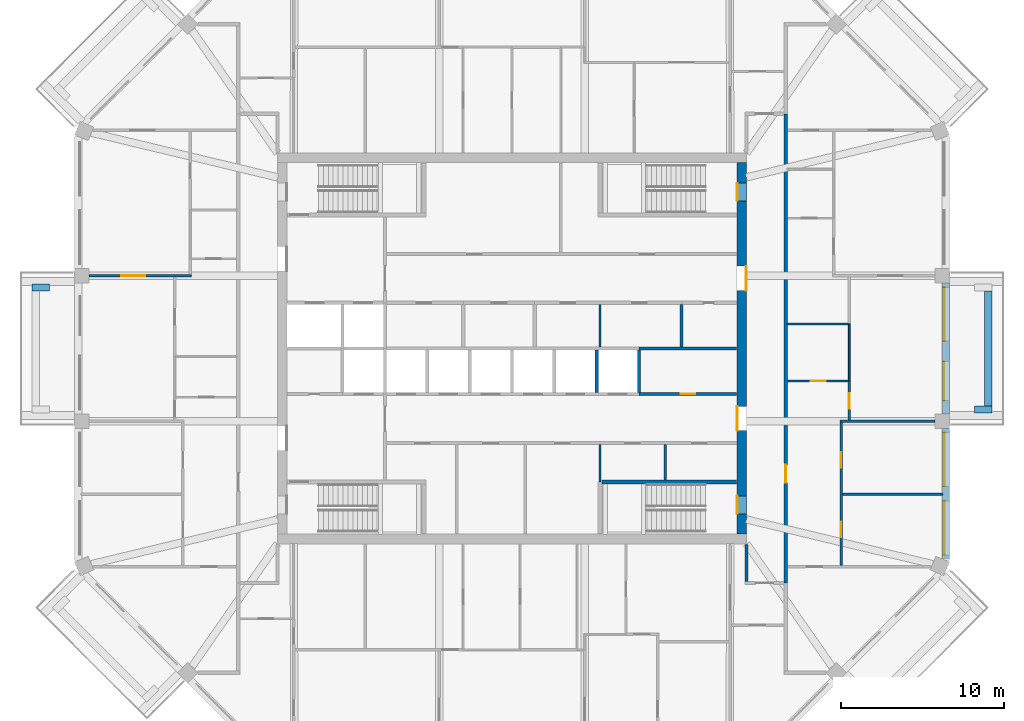
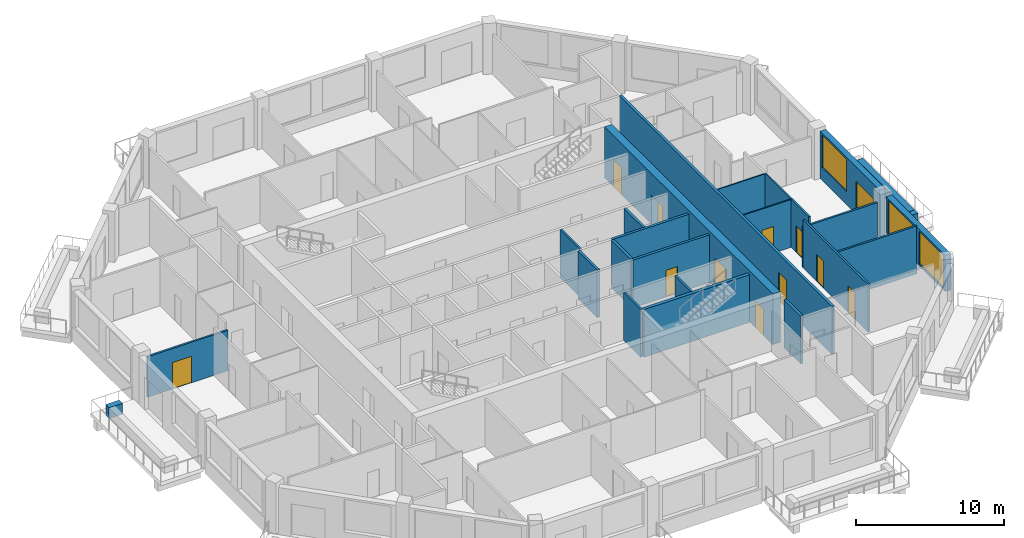
# One storey, part 6 of 12: 25 walls, 12 doors, 3 windows, 15 openings.
"""IFC4 building model written with IfcOpenShell, lengths in metres."""

import ifcopenshell
import ifcopenshell.guid

model = None  # the IFC model being written
_history = None  # IfcOwnerHistory: only IFC2X3 demands one
_inside = {}  # id of a spatial element -> (the spatial element, [elements in it])
_under = {}  # id of a project, library or spatial element -> (it, [spatial elements below it])
_declared = {}  # id of a project -> (the project, [libraries it declares])
_typed = {}  # id of a type object -> (the type object, [elements of that type])
_made_of = {}  # id of a material, layer set ... -> (it, [elements and type objects made of it])


def new_model(schema):
    """Start an empty IFC model of exactly this schema.

    Asked for "IFC4X3", IfcOpenShell would pick the latest addendum, in which some entities
    have other attributes; the version numbers below select the first issue.
    IFC2X3 requires an IfcOwnerHistory on every rooted entity: one is made here for all.
    """
    global model, _history
    if schema == "IFC4X3":
        model = ifcopenshell.file(schema_version=(4, 3, 0, 0))
    else:
        model = ifcopenshell.file(schema=schema)
    _inside.clear()
    _under.clear()
    _declared.clear()
    _typed.clear()
    _made_of.clear()
    _history = None
    if model.schema == "IFC2X3":
        org = make("IfcOrganization", Name="unknown")
        user = make(
            "IfcPersonAndOrganization",
            ThePerson=make("IfcPerson", FamilyName="unknown"),
            TheOrganization=org,
        )
        app = make(
            "IfcApplication",
            ApplicationDeveloper=org,
            Version="unknown",
            ApplicationFullName="unknown",
            ApplicationIdentifier="unknown",
        )
        _history = make(
            "IfcOwnerHistory",
            OwningUser=user,
            OwningApplication=app,
            ChangeAction="ADDED",
            CreationDate=0,
        )
    return model


def make(cls, **values):
    """One entity of the class cls with the attributes given. An attribute that is None is left unset."""
    return model.create_entity(
        cls, **{name: value for name, value in values.items() if value is not None}
    )


def rooted(cls, **values):
    """An entity with a GlobalId (a new one), such as an element, a storey or a relation."""
    return make(cls, GlobalId=ifcopenshell.guid.new(), OwnerHistory=_history, **values)


def si_unit(unit_type, name, prefix=None):
    """IfcSIUnit, for example si_unit("LENGTHUNIT", "METRE", prefix="MILLI")."""
    return make("IfcSIUnit", UnitType=unit_type, Prefix=prefix, Name=name)


def assignment(units):
    """IfcUnitAssignment: the units of a project."""
    return None if units is None else make("IfcUnitAssignment", Units=units)


def point(xyz):
    """IfcCartesianPoint."""
    return None if xyz is None else make("IfcCartesianPoint", Coordinates=xyz)


def direction(xyz):
    """IfcDirection."""
    return None if xyz is None else make("IfcDirection", DirectionRatios=xyz)


def frame(location, z_axis=None, x_axis=None):
    """IfcAxis2Placement3D, a coordinate frame: its origin and axes. An axis left out is left unset."""
    return make(
        "IfcAxis2Placement3D",
        Location=point(location),
        Axis=direction(z_axis),
        RefDirection=direction(x_axis),
    )


def frame_2d(location, x_axis=None):
    """IfcAxis2Placement2D, a coordinate frame in the plane: its origin and x axis."""
    return make(
        "IfcAxis2Placement2D", Location=point(location), RefDirection=direction(x_axis)
    )


def origin():
    """The frame at (0, 0, 0) with its axes left unset."""
    return frame((0.0, 0.0, 0.0))


def place(relative_to, where):
    """IfcLocalPlacement: puts the frame where relative to a parent placement (None: the world)."""
    return make(
        "IfcLocalPlacement", PlacementRelTo=relative_to, RelativePlacement=where
    )


def context(
    kind, dimensions, precision=None, world=None, true_north=None, identifier=None
):
    """IfcGeometricRepresentationContext, for example the 3D "Model" context."""
    return make(
        "IfcGeometricRepresentationContext",
        ContextIdentifier=identifier,
        ContextType=kind,
        CoordinateSpaceDimension=dimensions,
        Precision=precision,
        WorldCoordinateSystem=world,
        TrueNorth=true_north,
    )


def subcontext(parent, identifier, kind, view, scale=None):
    """IfcGeometricRepresentationSubContext, for example "Body" below "Model"."""
    return make(
        "IfcGeometricRepresentationSubContext",
        ContextIdentifier=identifier,
        ContextType=kind,
        ParentContext=parent,
        TargetScale=scale,
        TargetView=view,
    )


def project(units=None, contexts=None):
    """IfcProject with its units and contexts."""
    return rooted(
        "IfcProject",
        Name="project",
        RepresentationContexts=contexts,
        UnitsInContext=assignment(units),
    )


def spatial(cls, under=None, at=None, **own):
    """A site, building, storey or space (cls), placed at a placement, below another one or the project."""
    s = rooted(cls, ObjectPlacement=at, **own)
    if under is not None:
        _under.setdefault(under.id(), (under, []))[1].append(s)
    return s


def profile(cls, at=None, kind="AREA", **sizes):
    """A parametric profile (cls). Its sizes go by their IFC names, for example OverallWidth=200.0."""
    return make(cls, ProfileType=kind, Position=at, **sizes)


def rectangle(**sizes):
    """IfcRectangleProfileDef."""
    return profile("IfcRectangleProfileDef", **sizes)


def extrude(swept, where, along, depth):
    """IfcExtrudedAreaSolid: the profile swept, set in the frame where, extruded along a direction by depth."""
    return make(
        "IfcExtrudedAreaSolid",
        SweptArea=swept,
        Position=where,
        ExtrudedDirection=direction(along),
        Depth=depth,
    )


def shape(context_of_items, identifier, shape_type, items):
    """IfcShapeRepresentation: the items that make up one representation, for example the "Body"."""
    return make(
        "IfcShapeRepresentation",
        ContextOfItems=context_of_items,
        RepresentationIdentifier=identifier,
        RepresentationType=shape_type,
        Items=items,
    )


def material(Name=None, Category=None):
    """IfcMaterial."""
    return make("IfcMaterial", Name=Name, Category=Category)


def layer(
    of_material, thickness, ventilated=None, Name=None, Category=None, Priority=None
):
    """IfcMaterialLayer: one layer of a wall or slab, of a material (None: an air gap)."""
    return make(
        "IfcMaterialLayer",
        Material=of_material,
        LayerThickness=thickness,
        IsVentilated=ventilated,
        Name=Name,
        Category=Category,
        Priority=Priority,
    )


def layer_set(layers, Name=None):
    """IfcMaterialLayerSet."""
    return make("IfcMaterialLayerSet", MaterialLayers=layers, LayerSetName=Name)


def made_of(thing, what):
    """Note that an element or type object is made of a material, layer set ...; save() writes the relation."""
    if what is not None:
        _made_of.setdefault(what.id(), (what, []))[1].append(thing)
    return thing


def type_object(cls, material=None, **own):
    """A type object (cls), such as IfcWallType, which elements share."""
    return made_of(rooted(cls, **own), material)


def element(
    cls,
    number,
    at=None,
    inside=None,
    cuts=None,
    type_object=None,
    material=None,
    context=None,
    identifier="Body",
    shape_type=None,
    held_by="IfcProductDefinitionShape",
    body=None,
    shapes=None,
    **own,
):
    """One element of the class cls, such as IfcWall. Its Tag is "e" and its number.

    at: its placement. inside: the storey or other place that contains it. cuts: it is an
    opening in that element (IfcRelVoidsElement). A single representation is given by context,
    identifier, shape_type and body (its items); several are given by shapes. held_by: the class
    of the entity that holds the representations. save() writes the other relations.
    """
    e = rooted(cls, Tag="e%d" % number, ObjectPlacement=at, **own)
    if body is not None:
        shapes = [shape(context, identifier, shape_type, body)]
    if shapes is not None:
        e.Representation = make(held_by, Representations=shapes)
    if inside is not None:
        _inside.setdefault(inside.id(), (inside, []))[1].append(e)
    if cuts is not None:
        rooted(
            "IfcRelVoidsElement", RelatingBuildingElement=cuts, RelatedOpeningElement=e
        )
    if type_object is not None:
        _typed.setdefault(type_object.id(), (type_object, []))[1].append(e)
    return made_of(e, material)


def fill(opening, filler):
    """IfcRelFillsElement: the door or window that sits in an opening."""
    return rooted(
        "IfcRelFillsElement",
        RelatingOpeningElement=opening,
        RelatedBuildingElement=filler,
    )


def aggregate(whole, parts):
    """IfcRelAggregates: a whole, such as a stair, and the parts it consists of."""
    return rooted("IfcRelAggregates", RelatingObject=whole, RelatedObjects=parts)


def save(model, path):
    """Write the relations noted so far, then the file.

    IfcRelAggregates (storeys below a building ...), IfcRelContainedInSpatialStructure (elements
    in a storey), IfcRelDefinesByType, IfcRelAssociatesMaterial and IfcRelDeclares: one each for
    every whole, place, type object, material and project.
    """
    for whole, parts in _under.values():
        aggregate(whole, parts)
    for where, things in _inside.values():
        rooted(
            "IfcRelContainedInSpatialStructure",
            RelatedElements=things,
            RelatingStructure=where,
        )
    for kind, things in _typed.values():
        rooted("IfcRelDefinesByType", RelatedObjects=things, RelatingType=kind)
    for what, things in _made_of.values():
        rooted("IfcRelAssociatesMaterial", RelatedObjects=things, RelatingMaterial=what)
    for by, libraries in _declared.values():
        rooted("IfcRelDeclares", RelatingContext=by, RelatedDefinitions=libraries)
    model.write(path)


model = new_model("IFC4")

# Units and contexts
model_context = context("Model", 3, precision=1e-05, world=origin(), true_north=direction((0.0, 1.0)))
body_context = subcontext(model_context, "Body", "Model", "MODEL_VIEW")
ifc_project = project(units=[si_unit("LENGTHUNIT", "METRE"), si_unit("AREAUNIT", "SQUARE_METRE"), si_unit("VOLUMEUNIT", "CUBIC_METRE"), si_unit("PLANEANGLEUNIT", "RADIAN"), si_unit("MASSUNIT", "GRAM", prefix="KILO")], contexts=[model_context])

# Site, building, storey
site_placement = place(None, origin())
site = spatial("IfcSite", under=ifc_project, at=site_placement, CompositionType="ELEMENT")
building_placement = place(site_placement, origin())
building = spatial("IfcBuilding", under=site, at=building_placement, Name="Msitu Wima Residences", CompositionType="ELEMENT")
storey_placement = place(building_placement, frame((0.0, 0.0, 222.300048828125)))
storey = spatial("IfcBuildingStorey", under=building, at=storey_placement, Name="L51", CompositionType="ELEMENT", Elevation=222.300048828125)

# Walls
ifc_material_1 = material(Name="Facing brick")
ifc_layer_1 = layer(ifc_material_1, 0.06494140625, Name="Facing brick")
ifc_material_2 = material(Name="Concrete C40/50", Category="concrete")
ifc_layer_2 = layer(ifc_material_2, 0.156005859375, Name="Concrete C40/50")
ifc_material_3 = material(Name="Waterproofing membrane")
ifc_layer_3 = layer(ifc_material_3, 0.00390625, Name="Waterproofing membrane")
ifc_material_4 = material(Name="Planting soil and planting")
ifc_layer_4 = layer(ifc_material_4, 0.22509765625, Name="Planting soil and planting")
ifc_layer_set_1 = layer_set([ifc_layer_1, ifc_layer_2, ifc_layer_3, ifc_layer_4], Name="Concrete C40/50")
wall_type_1 = type_object("IfcWallType", Name="Balcony planter PLANTER PL450", PredefinedType="USERDEFINED", material=ifc_layer_set_1)
wall_1_placement = place(storey_placement, frame((29.22509765625, -3.5185546875, 0.0), z_axis=(0.0, 0.0, 1.0), x_axis=(0.0, 1.0, 0.0)))
element("IfcWall", 1, at=wall_1_placement, inside=storey, type_object=wall_type_1, Name="Balcony planter E1 L51", ObjectType="PLANTER", PredefinedType="USERDEFINED", context=body_context, shape_type="SweptSolid", body=[
    extrude(rectangle(XDim=7.037109375, YDim=0.449951171875, at=frame_2d((3.5185546875, 0.0))), origin(), (0.0, 0.0, 1.0), 0.89990234375),
])
for number, where, z_axis, x_axis, name in (
    (2, (28.39990234375, -3.74365234375, 0.0), (0.0, 0.0, 1.0), (1.0, 0.0, 0.0), "Balcony planter E1 L51"),
    (3, (-28.39990234375, 3.74365234375, 0.0), (0.0, 0.0, 1.0), (-1.0, 0.0, 0.0), "Balcony planter W1 L51"),
):
    element("IfcWall", number, at=place(storey_placement, frame(where, z_axis=z_axis, x_axis=x_axis)), inside=storey, type_object=wall_type_1, Name=name, ObjectType="PLANTER", PredefinedType="USERDEFINED", context=body_context, shape_type="SweptSolid", body=[
        extrude(rectangle(XDim=1.050048828125, YDim=0.449951171875, at=frame_2d((0.52490234375, 0.0))), origin(), (0.0, 0.0, 1.0), 0.89990234375),
    ])

# Wall, openings, windows
ifc_material_5 = material(Name="Brick (red buff mix)", Category="masonry")
ifc_layer_5 = layer(ifc_material_5, 0.449951171875)
ifc_layer_set_2 = layer_set([ifc_layer_5], Name="Brick (red buff mix)")
wall_type_2 = type_object("IfcWallType", Name="Brick infill wall BW450", PredefinedType="SOLIDWALL", material=ifc_layer_set_2)
wall_2_placement = place(storey_placement, frame((26.625, -12.918701171875, 0.89990234375), z_axis=(0.0, 0.0, 1.0), x_axis=(0.0, 1.0, 0.0)))
wall_2 = element("IfcWall", 4, at=wall_2_placement, inside=storey, type_object=wall_type_2, Name="Brick infill wall L51 E0", PredefinedType="SOLIDWALL", context=body_context, shape_type="SweptSolid", body=[
    extrude(rectangle(XDim=8.0, YDim=0.449951171875, at=frame_2d((4.0, 0.0))), origin(), (0.0, 0.0, 1.0), 3.0),
])
opening_1_placement = place(wall_2_placement, frame((0.25, 0.0, 0.14990234375)))
opening_1 = element("IfcOpeningElement", 5, at=opening_1_placement, cuts=wall_2, Name="Opening W50-51.001", PredefinedType="OPENING", context=body_context, shape_type="SweptSolid", body=[
    extrude(rectangle(XDim=3.300048828125, YDim=2.699951171875, at=frame_2d((1.64990234375, 1.35009765625))), frame((0.0, 0.23486328125, 0.0), z_axis=(0.0, -1.0, 0.0), x_axis=(1.0, 0.0, 0.0)), (0.0, 0.0, 1.0), 0.469970703125),
])
opening_2_placement = place(wall_2_placement, frame((4.4501953125, 0.0, 0.14990234375)))
opening_2 = element("IfcOpeningElement", 6, at=opening_2_placement, cuts=wall_2, Name="Opening W50-51.002", PredefinedType="OPENING", context=body_context, shape_type="SweptSolid", body=[
    extrude(rectangle(XDim=3.300048828125, YDim=2.699951171875, at=frame_2d((1.64990234375, 1.35009765625))), frame((0.0, 0.23486328125, 0.0), z_axis=(0.0, -1.0, 0.0), x_axis=(1.0, 0.0, 0.0)), (0.0, 0.0, 1.0), 0.469970703125),
])
ifc_material_6 = material(Name="Anodised aluminium, bronze finish, clear low-emissivity double glazing", Category="aluminium")
window_type = type_object("IfcWindowType", Name="Window W3300x2700", PartitioningType="DOUBLE_PANEL_VERTICAL", PredefinedType="WINDOW", material=ifc_material_6)
window_1_placement = place(opening_1_placement, origin())
window_1 = element("IfcWindow", 7, at=window_1_placement, inside=storey, type_object=window_type, Name="Window L51 E0.1", OverallHeight=2.699951171875, OverallWidth=3.300048828125, PartitioningType="SINGLE_PANEL", PredefinedType="WINDOW", context=body_context, shape_type="SweptSolid", body=[
    extrude(rectangle(XDim=3.300048828125, YDim=2.699951171875, at=frame_2d((1.64990234375, 1.35009765625))), frame((0.0, 0.135009765625, 0.0), z_axis=(0.0, -1.0, 0.0), x_axis=(1.0, 0.0, 0.0)), (0.0, 0.0, 1.0), 0.06005859375),
])
fill(opening_1, window_1)
window_2_placement = place(opening_2_placement, origin())
window_2 = element("IfcWindow", 8, at=window_2_placement, inside=storey, type_object=window_type, Name="Window L51 E0.2", OverallHeight=2.699951171875, OverallWidth=3.300048828125, PartitioningType="SINGLE_PANEL", PredefinedType="WINDOW", context=body_context, shape_type="SweptSolid", body=[
    extrude(rectangle(XDim=3.300048828125, YDim=2.699951171875, at=frame_2d((1.64990234375, 1.35009765625))), frame((0.0, 0.135009765625, 0.0), z_axis=(0.0, -1.0, 0.0), x_axis=(1.0, 0.0, 0.0)), (0.0, 0.0, 1.0), 0.06005859375),
])
fill(opening_2, window_2)

# Wall, openings, door, window
wall_3_placement = place(storey_placement, frame((26.625, -4.0185546875, 0.0), z_axis=(0.0, 0.0, 1.0), x_axis=(0.0, 1.0, 0.0)))
wall_3 = element("IfcWall", 9, at=wall_3_placement, inside=storey, type_object=wall_type_2, Name="Brick infill wall L51 E1", PredefinedType="SOLIDWALL", context=body_context, shape_type="SweptSolid", body=[
    extrude(rectangle(XDim=8.037109375, YDim=0.449951171875, at=frame_2d((4.0185546875, 0.0))), origin(), (0.0, 0.0, 1.0), 3.89990234375),
])
opening_3_placement = place(wall_3_placement, frame((0.809326171875, 0.0, 0.0)))
opening_3 = element("IfcOpeningElement", 10, at=opening_3_placement, cuts=wall_3, Name="Opening D50-51.001", PredefinedType="OPENING", context=body_context, shape_type="SweptSolid", body=[
    extrude(rectangle(XDim=2.39990234375, YDim=2.699951171875, at=frame_2d((1.199951171875, 1.35009765625))), frame((0.0, 0.23486328125, 0.0), z_axis=(0.0, -1.0, 0.0), x_axis=(1.0, 0.0, 0.0)), (0.0, 0.0, 1.0), 0.469970703125),
])
opening_4_placement = place(wall_3_placement, frame((4.46875, 0.0, 1.050048828125)))
opening_4 = element("IfcOpeningElement", 11, at=opening_4_placement, cuts=wall_3, Name="Opening W50-51.003", PredefinedType="OPENING", context=body_context, shape_type="SweptSolid", body=[
    extrude(rectangle(XDim=3.300048828125, YDim=2.699951171875, at=frame_2d((1.64990234375, 1.35009765625))), frame((0.0, 0.23486328125, 0.0), z_axis=(0.0, -1.0, 0.0), x_axis=(1.0, 0.0, 0.0)), (0.0, 0.0, 1.0), 0.469970703125),
])
door_type_1 = type_object("IfcDoorType", Name="Balcony door D2400x2700", OperationType="SLIDING_TO_LEFT", PredefinedType="DOOR", material=ifc_material_6)
door_1_placement = place(opening_3_placement, origin())
door_1 = element("IfcDoor", 12, at=door_1_placement, inside=storey, type_object=door_type_1, Name="Balcony door L51 E1", OperationType="SINGLE_SWING_LEFT", OverallHeight=2.699951171875, OverallWidth=2.39990234375, PredefinedType="DOOR", context=body_context, shape_type="SweptSolid", body=[
    extrude(rectangle(XDim=2.39990234375, YDim=2.699951171875, at=frame_2d((1.199951171875, 1.35009765625))), frame((0.0, 0.1298828125, 0.0), z_axis=(0.0, -1.0, 0.0), x_axis=(1.0, 0.0, 0.0)), (0.0, 0.0, 1.0), 0.050048828125),
])
fill(opening_3, door_1)
window_3_placement = place(opening_4_placement, origin())
window_3 = element("IfcWindow", 13, at=window_3_placement, inside=storey, type_object=window_type, Name="Window L51 E1.2", OverallHeight=2.699951171875, OverallWidth=3.300048828125, PartitioningType="SINGLE_PANEL", PredefinedType="WINDOW", context=body_context, shape_type="SweptSolid", body=[
    extrude(rectangle(XDim=3.300048828125, YDim=2.699951171875, at=frame_2d((1.64990234375, 1.35009765625))), frame((0.0, 0.135009765625, 0.0), z_axis=(0.0, -1.0, 0.0), x_axis=(1.0, 0.0, 0.0)), (0.0, 0.0, 1.0), 0.06005859375),
])
fill(opening_4, window_3)

# Wall, openings, doors
ifc_material_7 = material(Name="Concrete C50/60", Category="concrete")
ifc_layer_6 = layer(ifc_material_7, 0.60009765625)
ifc_layer_set_3 = layer_set([ifc_layer_6], Name="Concrete C50/60")
wall_type_3 = type_object("IfcWallType", Name="Core wall CW600 C50/60", PredefinedType="SHEAR", material=ifc_layer_set_3)
wall_4_placement = place(storey_placement, frame((14.10009765625, -11.39990234375, 0.0), z_axis=(0.0, 0.0, 1.0), x_axis=(0.0, 1.0, 0.0)))
wall_4 = element("IfcWall", 14, at=wall_4_placement, inside=storey, type_object=wall_type_3, Name="Core wall", PredefinedType="SHEAR", context=body_context, shape_type="SweptSolid", body=[
    extrude(rectangle(XDim=22.7998046875, YDim=0.60009765625, at=frame_2d((11.39990234375, 0.0))), origin(), (0.0, 0.0, 1.0), 4.199951171875),
])
opening_5_placement = place(wall_4_placement, frame((20.449951171875, 0.0, 0.0)))
opening_5 = element("IfcOpeningElement", 15, at=opening_5_placement, cuts=wall_4, Name="Opening D50-51.084", PredefinedType="OPENING", context=body_context, shape_type="SweptSolid", body=[
    extrude(rectangle(XDim=1.10009765625, YDim=2.199951171875, at=frame_2d((0.550048828125, 1.10009765625))), frame((0.0, 0.31005859375, 0.0), z_axis=(0.0, -1.0, 0.0), x_axis=(1.0, 0.0, 0.0)), (0.0, 0.0, 1.0), 0.6201171875),
])
opening_6_placement = place(wall_4_placement, frame((1.25, 0.0, 0.0)))
opening_6 = element("IfcOpeningElement", 16, at=opening_6_placement, cuts=wall_4, Name="Opening D50-51.085", PredefinedType="OPENING", context=body_context, shape_type="SweptSolid", body=[
    extrude(rectangle(XDim=1.10009765625, YDim=2.199951171875, at=frame_2d((0.550048828125, 1.10009765625))), frame((0.0, 0.31005859375, 0.0), z_axis=(0.0, -1.0, 0.0), x_axis=(1.0, 0.0, 0.0)), (0.0, 0.0, 1.0), 0.6201171875),
])
opening_7_placement = place(wall_4_placement, frame((14.949951171875, 0.0, 0.0)))
opening_7 = element("IfcOpeningElement", 17, at=opening_7_placement, cuts=wall_4, Name="Opening D50-51.072", PredefinedType="OPENING", context=body_context, shape_type="SweptSolid", body=[
    extrude(rectangle(XDim=1.5, YDim=2.39990234375, at=frame_2d((0.75, 1.199951171875))), frame((0.0, 0.31005859375, 0.0), z_axis=(0.0, -1.0, 0.0), x_axis=(1.0, 0.0, 0.0)), (0.0, 0.0, 1.0), 0.6201171875),
])
opening_8_placement = place(wall_4_placement, frame((6.35009765625, 0.0, 0.0)))
opening_8 = element("IfcOpeningElement", 18, at=opening_8_placement, cuts=wall_4, Name="Opening D50-51.073", PredefinedType="OPENING", context=body_context, shape_type="SweptSolid", body=[
    extrude(rectangle(XDim=1.5, YDim=2.39990234375, at=frame_2d((0.75, 1.199951171875))), frame((0.0, 0.31005859375, 0.0), z_axis=(0.0, -1.0, 0.0), x_axis=(1.0, 0.0, 0.0)), (0.0, 0.0, 1.0), 0.6201171875),
])
ifc_material_8 = material(Name="Steel framed glazed door, fire resisting", Category="steel")
door_type_2 = type_object("IfcDoorType", Name="Lobby door D07 1500x2400", OperationType="DOUBLE_DOOR_SINGLE_SWING", PredefinedType="DOOR", material=ifc_material_8)
door_2_placement = place(opening_7_placement, origin())
door_2 = element("IfcDoor", 19, at=door_2_placement, inside=storey, type_object=door_type_2, Name="Lobby door", OperationType="DOUBLE_DOOR_SINGLE_SWING", OverallHeight=2.39990234375, OverallWidth=1.5, PredefinedType="DOOR", context=body_context, shape_type="SweptSolid", body=[
    extrude(rectangle(XDim=1.5, YDim=2.39990234375, at=frame_2d((0.75, 1.199951171875))), frame((0.0, -0.2451171875, 0.0), z_axis=(0.0, -1.0, 0.0), x_axis=(1.0, 0.0, 0.0)), (0.0, 0.0, 1.0), 0.050048828125),
])
fill(opening_7, door_2)
door_3_placement = place(opening_8_placement, origin())
door_3 = element("IfcDoor", 20, at=door_3_placement, inside=storey, type_object=door_type_2, Name="Lobby door", OperationType="DOUBLE_DOOR_SINGLE_SWING", OverallHeight=2.39990234375, OverallWidth=1.5, PredefinedType="DOOR", context=body_context, shape_type="SweptSolid", body=[
    extrude(rectangle(XDim=1.5, YDim=2.39990234375, at=frame_2d((0.75, 1.199951171875))), frame((0.0, 0.294921875, 0.0), z_axis=(0.0, -1.0, 0.0), x_axis=(1.0, 0.0, 0.0)), (0.0, 0.0, 1.0), 0.050048828125),
])
fill(opening_8, door_3)
ifc_material_9 = material(Name="Steel door, fire resisting, panic bar", Category="steel")
door_type_3 = type_object("IfcDoorType", Name="Stair door D06 1100x2200", OperationType="SINGLE_SWING_LEFT", PredefinedType="DOOR", material=ifc_material_9)
door_4_placement = place(opening_5_placement, origin())
door_4 = element("IfcDoor", 21, at=door_4_placement, inside=storey, type_object=door_type_3, Name="Stair door", OperationType="SINGLE_SWING_LEFT", OverallHeight=2.199951171875, OverallWidth=1.10009765625, PredefinedType="DOOR", context=body_context, shape_type="SweptSolid", body=[
    extrude(rectangle(XDim=1.10009765625, YDim=2.199951171875, at=frame_2d((0.550048828125, 1.10009765625))), frame((0.0, 0.294921875, 0.0), z_axis=(0.0, -1.0, 0.0), x_axis=(1.0, 0.0, 0.0)), (0.0, 0.0, 1.0), 0.050048828125),
])
fill(opening_5, door_4)
door_5_placement = place(opening_6_placement, origin())
door_5 = element("IfcDoor", 22, at=door_5_placement, inside=storey, type_object=door_type_3, Name="Stair door", OperationType="SINGLE_SWING_RIGHT", OverallHeight=2.199951171875, OverallWidth=1.10009765625, PredefinedType="DOOR", context=body_context, shape_type="SweptSolid", body=[
    extrude(rectangle(XDim=1.10009765625, YDim=2.199951171875, at=frame_2d((0.550048828125, 1.10009765625))), frame((0.0, 0.294921875, 0.0), z_axis=(0.0, -1.0, 0.0), x_axis=(1.0, 0.0, 0.0)), (0.0, 0.0, 1.0), 0.050048828125),
])
fill(opening_6, door_5)

# Wall
ifc_material_10 = material(Name="Plaster")
ifc_layer_7 = layer(ifc_material_10, 0.011962890625, Name="Plaster")
ifc_material_11 = material(Name="Concrete blockwork", Category="masonry")
ifc_layer_8 = layer(ifc_material_11, 0.176025390625, Name="Concrete blockwork")
ifc_layer_9 = layer(ifc_material_10, 0.011962890625, Name="Plaster")
ifc_layer_set_4 = layer_set([ifc_layer_7, ifc_layer_8, ifc_layer_9], Name="Concrete blockwork")
wall_type_4 = type_object("IfcWallType", Name="Corridor wall FW200", PredefinedType="PARTITIONING", material=ifc_layer_set_4)
wall_5_placement = place(storey_placement, frame((14.39990234375, -14.300048828125, 0.0), z_axis=(0.0, 0.0, 1.0), x_axis=(0.0, 1.0, 0.0)))
element("IfcWall", 23, at=wall_5_placement, inside=storey, type_object=wall_type_4, Name="Corridor wall", PredefinedType="PARTITIONING", context=body_context, shape_type="SweptSolid", body=[
    extrude(rectangle(XDim=2.27001953125, YDim=0.199951171875, at=frame_2d((1.135009765625, 0.0))), origin(), (0.0, 0.0, 1.0), 3.949951171875),
])

# Wall, opening, door
wall_6_placement = place(storey_placement, frame((16.800048828125, -14.39990234375, 0.0), z_axis=(0.0, 0.0, 1.0), x_axis=(0.0, 1.0, 0.0)))
wall_6 = element("IfcWall", 24, at=wall_6_placement, inside=storey, type_object=wall_type_4, Name="Corridor wall", PredefinedType="PARTITIONING", context=body_context, shape_type="SweptSolid", body=[
    extrude(rectangle(XDim=28.7998046875, YDim=0.199951171875, at=frame_2d((14.39990234375, 0.0))), origin(), (0.0, 0.0, 1.0), 3.949951171875),
])
opening_9_placement = place(wall_6_placement, frame((6.14990234375, 0.0, 0.0)))
opening_9 = element("IfcOpeningElement", 25, at=opening_9_placement, cuts=wall_6, Name="Opening D50-51.011", PredefinedType="OPENING", context=body_context, shape_type="SweptSolid", body=[
    extrude(rectangle(XDim=1.10009765625, YDim=2.39990234375, at=frame_2d((0.550048828125, 1.199951171875))), frame((0.0, 0.10986328125, 0.0), z_axis=(0.0, -1.0, 0.0), x_axis=(1.0, 0.0, 0.0)), (0.0, 0.0, 1.0), 0.219970703125),
])
ifc_material_12 = material(Name="Timber flush door, fire resisting, self-closing", Category="wood")
door_type_4 = type_object("IfcDoorType", Name="Flat entrance door D01 1100x2400", OperationType="SINGLE_SWING_LEFT", PredefinedType="DOOR", material=ifc_material_12)
door_6_placement = place(opening_9_placement, origin())
door_6 = element("IfcDoor", 26, at=door_6_placement, inside=storey, type_object=door_type_4, Name="Flat entrance door", OperationType="SINGLE_SWING_RIGHT", OverallHeight=2.39990234375, OverallWidth=1.10009765625, PredefinedType="DOOR", context=body_context, shape_type="SweptSolid", body=[
    extrude(rectangle(XDim=1.10009765625, YDim=2.39990234375, at=frame_2d((0.550048828125, 1.199951171875))), frame((0.0, 0.02490234375, 0.0), z_axis=(0.0, -1.0, 0.0), x_axis=(1.0, 0.0, 0.0)), (0.0, 0.0, 1.0), 0.050048828125),
])
fill(opening_9, door_6)

ifc_layer_10 = layer(ifc_material_10, 0.011962890625, Name="Plaster")
ifc_layer_11 = layer(ifc_material_11, 0.1259765625, Name="Concrete blockwork")
ifc_layer_12 = layer(ifc_material_10, 0.011962890625, Name="Plaster")
ifc_layer_set_5 = layer_set([ifc_layer_10, ifc_layer_11, ifc_layer_12], Name="Concrete blockwork")
wall_type_5 = type_object("IfcWallType", Name="Partition PW150", PredefinedType="PARTITIONING", material=ifc_layer_set_5)
wall_7_placement = place(storey_placement, frame((-25.949951171875, 4.46875, 0.0), z_axis=(0.0, 0.0, 1.0), x_axis=(1.0, 0.0, 0.0)))
wall_7 = element("IfcWall", 27, at=wall_7_placement, inside=storey, type_object=wall_type_5, Name="Partition", PredefinedType="PARTITIONING", context=body_context, shape_type="SweptSolid", body=[
    extrude(rectangle(XDim=6.27490234375, YDim=0.14990234375, at=frame_2d((3.137451171875, 0.0))), origin(), (0.0, 0.0, 1.0), 3.349853515625),
])
opening_10_placement = place(wall_7_placement, frame((1.949951171875, 0.0, 0.0)))
opening_10 = element("IfcOpeningElement", 28, at=opening_10_placement, cuts=wall_7, Name="Opening D50-51.042", PredefinedType="OPENING", context=body_context, shape_type="SweptSolid", body=[
    extrude(rectangle(XDim=1.5, YDim=2.199951171875, at=frame_2d((0.75, 1.10009765625))), frame((0.0, 0.0849609375, 0.0), z_axis=(0.0, -1.0, 0.0), x_axis=(1.0, 0.0, 0.0)), (0.0, 0.0, 1.0), 0.169921875),
])
ifc_material_13 = material(Name="Timber double door", Category="wood")
door_type_5 = type_object("IfcDoorType", Name="Double door D04 1500x2200", OperationType="DOUBLE_DOOR_SINGLE_SWING", PredefinedType="DOOR", material=ifc_material_13)
door_7_placement = place(opening_10_placement, origin())
door_7 = element("IfcDoor", 29, at=door_7_placement, inside=storey, type_object=door_type_5, Name="Double door", OperationType="DOUBLE_DOOR_SINGLE_SWING", OverallHeight=2.199951171875, OverallWidth=1.5, PredefinedType="DOOR", context=body_context, shape_type="SweptSolid", body=[
    extrude(rectangle(XDim=1.5, YDim=2.199951171875, at=frame_2d((0.75, 1.10009765625))), frame((0.0, 0.02490234375, 0.0), z_axis=(0.0, -1.0, 0.0), x_axis=(1.0, 0.0, 0.0)), (0.0, 0.0, 1.0), 0.050048828125),
])
fill(opening_10, door_7)

# Walls
wall_8_placement = place(storey_placement, frame((5.39990234375, -8.199951171875, 0.0), z_axis=(0.0, 0.0, 1.0), x_axis=(0.0, 1.0, 0.0)))
element("IfcWall", 30, at=wall_8_placement, inside=storey, type_object=wall_type_5, Name="Partition", PredefinedType="PARTITIONING", context=body_context, shape_type="SweptSolid", body=[
    extrude(rectangle(XDim=2.300048828125, YDim=0.14990234375, at=frame_2d((1.14990234375, 0.0))), origin(), (0.0, 0.0, 1.0), 3.949951171875),
])
wall_9_placement = place(storey_placement, frame((5.39990234375, 0.10009765625, 0.0), z_axis=(0.0, 0.0, 1.0), x_axis=(0.0, 1.0, 0.0)))
element("IfcWall", 31, at=wall_9_placement, inside=storey, type_object=wall_type_5, Name="Partition", PredefinedType="PARTITIONING", context=body_context, shape_type="SweptSolid", body=[
    extrude(rectangle(XDim=2.599853515625, YDim=0.14990234375, at=frame_2d((1.2998046875, 0.0))), origin(), (0.0, 0.0, 1.0), 3.949951171875),
])
wall_10_placement = place(storey_placement, frame((9.39990234375, -8.074951171875, 0.0), z_axis=(0.0, 0.0, 1.0), x_axis=(0.0, 1.0, 0.0)))
element("IfcWall", 32, at=wall_10_placement, inside=storey, type_object=wall_type_5, Name="Partition", PredefinedType="PARTITIONING", context=body_context, shape_type="SweptSolid", body=[
    extrude(rectangle(XDim=2.175048828125, YDim=0.14990234375, at=frame_2d((1.08740234375, 0.0))), origin(), (0.0, 0.0, 1.0), 3.949951171875),
])

# Wall, openings, doors
wall_11_placement = place(storey_placement, frame((20.199951171875, -13.330810546875, 0.0), z_axis=(0.0, 0.0, 1.0), x_axis=(0.0, 1.0, 0.0)))
wall_11 = element("IfcWall", 33, at=wall_11_placement, inside=storey, type_object=wall_type_5, Name="Partition", PredefinedType="PARTITIONING", context=body_context, shape_type="SweptSolid", body=[
    extrude(rectangle(XDim=8.787109375, YDim=0.14990234375, at=frame_2d((4.3935546875, 0.0))), origin(), (0.0, 0.0, 1.0), 3.949951171875),
])
opening_11_placement = place(wall_11_placement, frame((1.75, 0.0, 0.0)))
opening_11 = element("IfcOpeningElement", 34, at=opening_11_placement, cuts=wall_11, Name="Opening D50-51.015", PredefinedType="OPENING", context=body_context, shape_type="SweptSolid", body=[
    extrude(rectangle(XDim=0.949951171875, YDim=2.199951171875, at=frame_2d((0.47509765625, 1.10009765625))), frame((0.0, 0.0849609375, 0.0), z_axis=(0.0, -1.0, 0.0), x_axis=(1.0, 0.0, 0.0)), (0.0, 0.0, 1.0), 0.169921875),
])
opening_12_placement = place(wall_11_placement, frame((6.0, 0.0, 0.0)))
opening_12 = element("IfcOpeningElement", 35, at=opening_12_placement, cuts=wall_11, Name="Opening D50-51.016", PredefinedType="OPENING", context=body_context, shape_type="SweptSolid", body=[
    extrude(rectangle(XDim=0.949951171875, YDim=2.199951171875, at=frame_2d((0.47509765625, 1.10009765625))), frame((0.0, 0.0849609375, 0.0), z_axis=(0.0, -1.0, 0.0), x_axis=(1.0, 0.0, 0.0)), (0.0, 0.0, 1.0), 0.169921875),
])
ifc_material_14 = material(Name="Timber flush door", Category="wood")
door_type_6 = type_object("IfcDoorType", Name="Room door D12 950x2200", OperationType="SINGLE_SWING_LEFT", PredefinedType="DOOR", material=ifc_material_14)
door_8_placement = place(opening_11_placement, origin())
door_8 = element("IfcDoor", 36, at=door_8_placement, inside=storey, type_object=door_type_6, Name="Room door", OperationType="SINGLE_SWING_LEFT", OverallHeight=2.199951171875, OverallWidth=0.949951171875, PredefinedType="DOOR", context=body_context, shape_type="SweptSolid", body=[
    extrude(rectangle(XDim=0.949951171875, YDim=2.199951171875, at=frame_2d((0.47509765625, 1.10009765625))), frame((0.0, 0.02490234375, 0.0), z_axis=(0.0, -1.0, 0.0), x_axis=(1.0, 0.0, 0.0)), (0.0, 0.0, 1.0), 0.050048828125),
])
fill(opening_11, door_8)
door_9_placement = place(opening_12_placement, origin())
door_9 = element("IfcDoor", 37, at=door_9_placement, inside=storey, type_object=door_type_6, Name="Room door", OperationType="SINGLE_SWING_RIGHT", OverallHeight=2.199951171875, OverallWidth=0.949951171875, PredefinedType="DOOR", context=body_context, shape_type="SweptSolid", body=[
    extrude(rectangle(XDim=0.949951171875, YDim=2.199951171875, at=frame_2d((0.47509765625, 1.10009765625))), frame((0.0, 0.02490234375, 0.0), z_axis=(0.0, -1.0, 0.0), x_axis=(1.0, 0.0, 0.0)), (0.0, 0.0, 1.0), 0.050048828125),
])
fill(opening_12, door_9)

# Walls
wall_12_placement = place(storey_placement, frame((20.27490234375, -8.937255859375, 0.0), z_axis=(0.0, 0.0, 1.0), x_axis=(1.0, 0.0, 0.0)))
element("IfcWall", 38, at=wall_12_placement, inside=storey, type_object=wall_type_5, Name="Partition", PredefinedType="PARTITIONING", context=body_context, shape_type="SweptSolid", body=[
    extrude(rectangle(XDim=6.18017578125, YDim=0.14990234375, at=frame_2d((3.090087890625, 0.0))), origin(), (0.0, 0.0, 1.0), 3.949951171875),
])
wall_13_placement = place(storey_placement, frame((20.125, -4.46875, 0.0), z_axis=(0.0, 0.0, 1.0), x_axis=(1.0, 0.0, 0.0)))
element("IfcWall", 39, at=wall_13_placement, inside=storey, type_object=wall_type_5, Name="Partition", PredefinedType="PARTITIONING", context=body_context, shape_type="SweptSolid", body=[
    extrude(rectangle(XDim=5.824951171875, YDim=0.14990234375, at=frame_2d((2.91259765625, 0.0))), origin(), (0.0, 0.0, 1.0), 3.349853515625),
])

# Wall, opening, door
wall_14_placement = place(storey_placement, frame((20.699951171875, -4.3935546875, 0.0), z_axis=(0.0, 0.0, 1.0), x_axis=(0.0, 1.0, 0.0)))
wall_14 = element("IfcWall", 40, at=wall_14_placement, inside=storey, type_object=wall_type_5, Name="Partition", PredefinedType="PARTITIONING", context=body_context, shape_type="SweptSolid", body=[
    extrude(rectangle(XDim=2.37353515625, YDim=0.14990234375, at=frame_2d((1.186767578125, 0.0))), origin(), (0.0, 0.0, 1.0), 3.949951171875),
])
opening_13_placement = place(wall_14_placement, frame((0.699951171875, 0.0, 0.0)))
opening_13 = element("IfcOpeningElement", 41, at=opening_13_placement, cuts=wall_14, Name="Opening D50-51.017", PredefinedType="OPENING", context=body_context, shape_type="SweptSolid", body=[
    extrude(rectangle(XDim=0.949951171875, YDim=2.199951171875, at=frame_2d((0.47509765625, 1.10009765625))), frame((0.0, 0.0849609375, 0.0), z_axis=(0.0, -1.0, 0.0), x_axis=(1.0, 0.0, 0.0)), (0.0, 0.0, 1.0), 0.169921875),
])
door_10_placement = place(opening_13_placement, origin())
door_10 = element("IfcDoor", 42, at=door_10_placement, inside=storey, type_object=door_type_6, Name="Room door", OperationType="SINGLE_SWING_RIGHT", OverallHeight=2.199951171875, OverallWidth=0.949951171875, PredefinedType="DOOR", context=body_context, shape_type="SweptSolid", body=[
    extrude(rectangle(XDim=0.949951171875, YDim=2.199951171875, at=frame_2d((0.47509765625, 1.10009765625))), frame((0.0, 0.02490234375, 0.0), z_axis=(0.0, -1.0, 0.0), x_axis=(1.0, 0.0, 0.0)), (0.0, 0.0, 1.0), 0.050048828125),
])
fill(opening_13, door_10)

ifc_layer_13 = layer(ifc_material_10, 0.011962890625, Name="Plaster")
ifc_material_15 = material(Name="Reinforced concrete blockwork", Category="masonry")
ifc_layer_14 = layer(ifc_material_15, 0.176025390625, Name="Reinforced concrete blockwork")
ifc_layer_15 = layer(ifc_material_10, 0.011962890625, Name="Plaster")
ifc_layer_set_6 = layer_set([ifc_layer_13, ifc_layer_14, ifc_layer_15], Name="Reinforced concrete blockwork")
wall_type_6 = type_object("IfcWallType", Name="Plant and riser wall PL200", PredefinedType="PARTITIONING", material=ifc_layer_set_6)
wall_15_placement = place(storey_placement, frame((7.800048828125, -2.800048828125, 0.0), z_axis=(0.0, 0.0, 1.0), x_axis=(1.0, 0.0, 0.0)))
wall_15 = element("IfcWall", 43, at=wall_15_placement, inside=storey, type_object=wall_type_6, Name="Plant and riser wall", PredefinedType="PARTITIONING", context=body_context, shape_type="SweptSolid", body=[
    extrude(rectangle(XDim=5.969970703125, YDim=0.199951171875, at=frame_2d((2.98486328125, 0.0))), origin(), (0.0, 0.0, 1.0), 3.949951171875),
])
opening_14_placement = place(wall_15_placement, frame((2.550048828125, 0.0, 0.0)))
opening_14 = element("IfcOpeningElement", 44, at=opening_14_placement, cuts=wall_15, Name="Opening D50-51.060", PredefinedType="OPENING", context=body_context, shape_type="SweptSolid", body=[
    extrude(rectangle(XDim=0.89990234375, YDim=2.199951171875, at=frame_2d((0.449951171875, 1.10009765625))), frame((0.0, 0.10986328125, 0.0), z_axis=(0.0, -1.0, 0.0), x_axis=(1.0, 0.0, 0.0)), (0.0, 0.0, 1.0), 0.219970703125),
])
door_type_7 = type_object("IfcDoorType", Name="Service door D05 900x2200", OperationType="SINGLE_SWING_LEFT", PredefinedType="DOOR", material=ifc_material_14)
door_11_placement = place(opening_14_placement, origin())
door_11 = element("IfcDoor", 45, at=door_11_placement, inside=storey, type_object=door_type_7, Name="Service door", OperationType="SINGLE_SWING_LEFT", OverallHeight=2.199951171875, OverallWidth=0.89990234375, PredefinedType="DOOR", context=body_context, shape_type="SweptSolid", body=[
    extrude(rectangle(XDim=0.89990234375, YDim=2.199951171875, at=frame_2d((0.449951171875, 1.10009765625))), frame((0.0, 0.02490234375, 0.0), z_axis=(0.0, -1.0, 0.0), x_axis=(1.0, 0.0, 0.0)), (0.0, 0.0, 1.0), 0.050048828125),
])
fill(opening_14, door_11)

# Walls
wall_16_placement = place(storey_placement, frame((7.800048828125, 0.0, 0.0), z_axis=(0.0, 0.0, 1.0), x_axis=(1.0, 0.0, 0.0)))
element("IfcWall", 46, at=wall_16_placement, inside=storey, type_object=wall_type_6, Name="Plant and riser wall", PredefinedType="PARTITIONING", context=body_context, shape_type="SweptSolid", body=[
    extrude(rectangle(XDim=5.969970703125, YDim=0.199951171875, at=frame_2d((2.98486328125, 0.0))), origin(), (0.0, 0.0, 1.0), 3.949951171875),
])
wall_17_placement = place(storey_placement, frame((10.39990234375, 0.10009765625, 0.0), z_axis=(0.0, 0.0, 1.0), x_axis=(0.0, 1.0, 0.0)))
element("IfcWall", 47, at=wall_17_placement, inside=storey, type_object=wall_type_6, Name="Plant and riser wall", PredefinedType="PARTITIONING", context=body_context, shape_type="SweptSolid", body=[
    extrude(rectangle(XDim=2.599853515625, YDim=0.199951171875, at=frame_2d((1.2998046875, 0.0))), origin(), (0.0, 0.0, 1.0), 3.949951171875),
])
ifc_material_16 = material(Name="Fire-rated board")
ifc_layer_16 = layer(ifc_material_16, 0.02490234375, Name="Fire-rated board")
ifc_material_17 = material(Name="Light-gauge stud framing with mineral wool")
ifc_layer_17 = layer(ifc_material_17, 0.14990234375, Name="Light-gauge stud framing with mineral wool")
ifc_layer_18 = layer(ifc_material_16, 0.02490234375, Name="Fire-rated board")
ifc_layer_set_7 = layer_set([ifc_layer_16, ifc_layer_17, ifc_layer_18], Name="Light-gauge stud framing with mineral wool")
wall_type_7 = type_object("IfcWallType", Name="Shaft wall SH200", PredefinedType="PARTITIONING", material=ifc_layer_set_7)
for number, where, z_axis, x_axis, name in (
    (48, (5.199951171875, -2.699951171875, 0.0), (0.0, 0.0, 1.0), (0.0, 1.0, 0.0), "Shaft wall"),
    (49, (7.800048828125, -2.699951171875, 0.0), (0.0, 0.0, 1.0), (0.0, 1.0, 0.0), "Shaft wall"),
):
    element("IfcWall", number, at=place(storey_placement, frame(where, z_axis=z_axis, x_axis=x_axis)), inside=storey, type_object=wall_type_7, Name=name, PredefinedType="PARTITIONING", context=body_context, shape_type="SweptSolid", body=[
        extrude(rectangle(XDim=2.599853515625, YDim=0.199951171875, at=frame_2d((1.2998046875, 0.0))), origin(), (0.0, 0.0, 1.0), 3.949951171875),
    ])
ifc_layer_19 = layer(ifc_material_7, 0.25)
ifc_layer_set_8 = layer_set([ifc_layer_19], Name="Concrete C50/60")
wall_type_8 = type_object("IfcWallType", Name="Stair enclosure wall SW250", PredefinedType="SHEAR", material=ifc_layer_set_8)
wall_18_placement = place(storey_placement, frame((5.52490234375, -8.199951171875, 0.0), z_axis=(0.0, 0.0, 1.0), x_axis=(1.0, 0.0, 0.0)))
element("IfcWall", 50, at=wall_18_placement, inside=storey, type_object=wall_type_8, Name="Stair enclosure wall", PredefinedType="SHEAR", context=body_context, shape_type="SweptSolid", body=[
    extrude(rectangle(XDim=8.2451171875, YDim=0.25, at=frame_2d((4.12255859375, 0.0))), origin(), (0.0, 0.0, 1.0), 3.949951171875),
])

# Wall, opening, door
ifc_material_18 = material(Name="Ceramic tiles")
ifc_layer_20 = layer(ifc_material_18, 0.008056640625, Name="Ceramic tiles")
ifc_material_19 = material(Name="Moisture-resistant board")
ifc_layer_21 = layer(ifc_material_19, 0.012451171875, Name="Moisture-resistant board")
ifc_layer_22 = layer(ifc_material_17, 0.06689453125, Name="Light-gauge stud framing with mineral wool")
ifc_layer_23 = layer(ifc_material_19, 0.012451171875, Name="Moisture-resistant board")
ifc_layer_set_9 = layer_set([ifc_layer_20, ifc_layer_21, ifc_layer_22, ifc_layer_23], Name="Light-gauge stud framing with mineral wool")
wall_type_9 = type_object("IfcWallType", Name="Wet wall PW100", PredefinedType="PARTITIONING", material=ifc_layer_set_9)
wall_19_placement = place(storey_placement, frame((16.89990234375, -2.0, 0.0), z_axis=(0.0, 0.0, 1.0), x_axis=(1.0, 0.0, 0.0)))
wall_19 = element("IfcWall", 51, at=wall_19_placement, inside=storey, type_object=wall_type_9, Name="Wet wall", PredefinedType="PARTITIONING", context=body_context, shape_type="SweptSolid", body=[
    extrude(rectangle(XDim=3.75, YDim=0.10009765625, at=frame_2d((1.875, 0.0))), origin(), (0.0, 0.0, 1.0), 3.949951171875),
])
opening_15_placement = place(wall_19_placement, frame((1.449951171875, 0.0, 0.0)))
opening_15 = element("IfcOpeningElement", 52, at=opening_15_placement, cuts=wall_19, Name="Opening D50-51.014", PredefinedType="OPENING", context=body_context, shape_type="SweptSolid", body=[
    extrude(rectangle(XDim=0.89990234375, YDim=2.199951171875, at=frame_2d((0.449951171875, 1.10009765625))), frame((0.0, 0.06005859375, 0.0), z_axis=(0.0, -1.0, 0.0), x_axis=(1.0, 0.0, 0.0)), (0.0, 0.0, 1.0), 0.1201171875),
])
ifc_material_20 = material(Name="Timber flush door, moisture resistant", Category="wood")
door_type_8 = type_object("IfcDoorType", Name="Bathroom door D03 900x2200", OperationType="SINGLE_SWING_LEFT", PredefinedType="DOOR", material=ifc_material_20)
door_12_placement = place(opening_15_placement, origin())
door_12 = element("IfcDoor", 53, at=door_12_placement, inside=storey, type_object=door_type_8, Name="Bathroom door", OperationType="SINGLE_SWING_RIGHT", OverallHeight=2.199951171875, OverallWidth=0.89990234375, PredefinedType="DOOR", context=body_context, shape_type="SweptSolid", body=[
    extrude(rectangle(XDim=0.89990234375, YDim=2.199951171875, at=frame_2d((0.449951171875, 1.10009765625))), frame((0.0, 0.02490234375, 0.0), z_axis=(0.0, -1.0, 0.0), x_axis=(1.0, 0.0, 0.0)), (0.0, 0.0, 1.0), 0.050048828125),
])
fill(opening_15, door_12)

# Walls
wall_20_placement = place(storey_placement, frame((16.89990234375, 1.5, 0.0), z_axis=(0.0, 0.0, 1.0), x_axis=(1.0, 0.0, 0.0)))
element("IfcWall", 54, at=wall_20_placement, inside=storey, type_object=wall_type_9, Name="Wet wall", PredefinedType="PARTITIONING", context=body_context, shape_type="SweptSolid", body=[
    extrude(rectangle(XDim=3.72509765625, YDim=0.10009765625, at=frame_2d((1.862548828125, 0.0))), origin(), (0.0, 0.0, 1.0), 3.949951171875),
])
wall_21_placement = place(storey_placement, frame((20.699951171875, -2.02001953125, 0.0), z_axis=(0.0, 0.0, 1.0), x_axis=(0.0, 1.0, 0.0)))
element("IfcWall", 55, at=wall_21_placement, inside=storey, type_object=wall_type_9, Name="Wet wall", PredefinedType="PARTITIONING", context=body_context, shape_type="SweptSolid", body=[
    extrude(rectangle(XDim=3.52001953125, YDim=0.10009765625, at=frame_2d((1.760009765625, 0.0))), origin(), (0.0, 0.0, 1.0), 3.949951171875),
])

save(model, "model.ifc")
